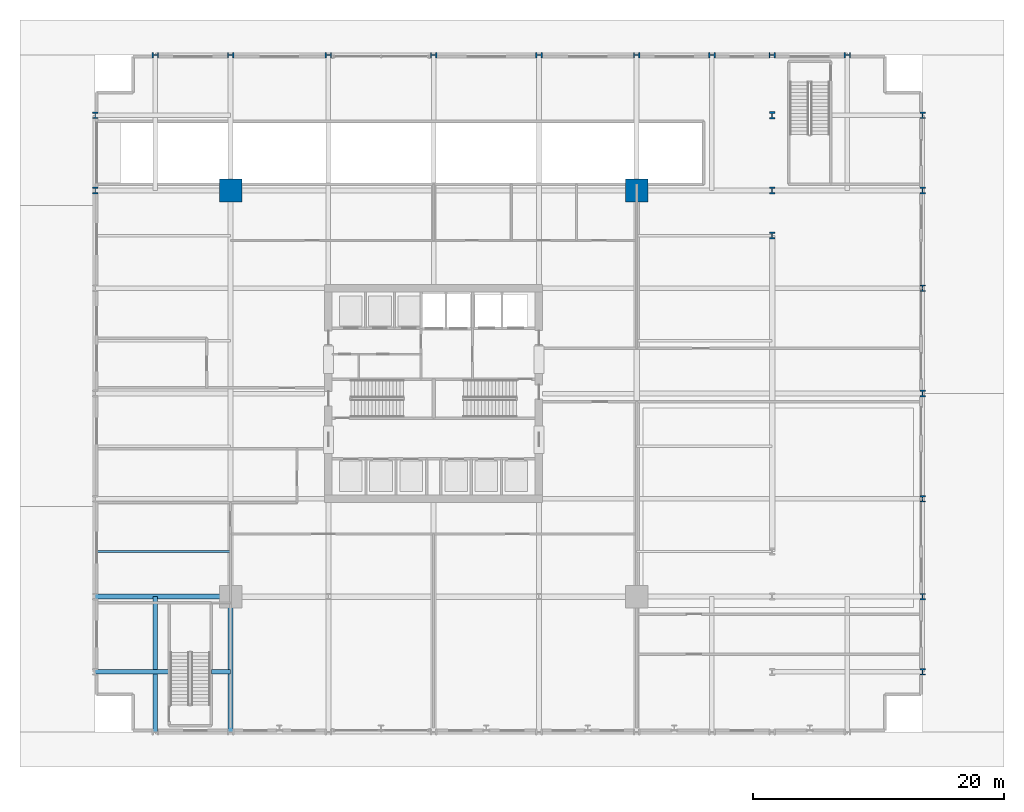
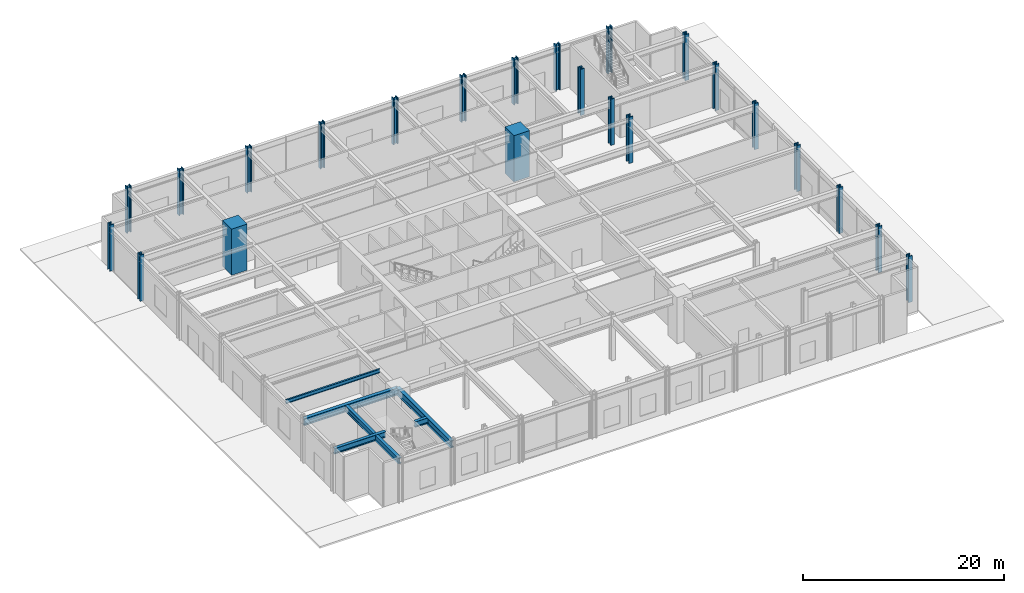
# One storey, part 2 of 21: 23 columns, 6 beams.
"""IFC4 building model written with IfcOpenShell, lengths in metres."""

from ifc_helpers import new_model, si_unit, direction, frame, origin, origin_2d, place, context, subcontext, project, spatial, rectangle, i_section, extrude, material, material_profile, profile_set, type_object, element, save


model = new_model("IFC4")

# Units and contexts
model_context = context("Model", 3, precision=1e-05, world=origin(), true_north=direction((0.0, 1.0)))
body_context = subcontext(model_context, "Body", "Model", "MODEL_VIEW")
ifc_project = project(units=[si_unit("LENGTHUNIT", "METRE"), si_unit("AREAUNIT", "SQUARE_METRE"), si_unit("VOLUMEUNIT", "CUBIC_METRE"), si_unit("PLANEANGLEUNIT", "RADIAN"), si_unit("MASSUNIT", "GRAM", prefix="KILO")], contexts=[model_context])

# Site, building, storey
site_placement = place(None, origin())
site = spatial("IfcSite", under=ifc_project, at=site_placement, CompositionType="ELEMENT")
building_placement = place(site_placement, origin())
building = spatial("IfcBuilding", under=site, at=building_placement, Name="Drelvath Grand Hotel", CompositionType="ELEMENT")
storey_placement = place(building_placement, origin())
storey = spatial("IfcBuildingStorey", under=building, at=storey_placement, Name="L00", CompositionType="ELEMENT", Elevation=0.0)

# Columns
ifc_material_1 = material(Name="Concrete f'c 70 MPa", Category="concrete")
ifc_material_profile_1 = material_profile(ifc_material_1, rectangle(XDim=1.800048828125, YDim=1.800048828125, at=origin_2d()), Name="MC1800X1800")
ifc_profile_set_1 = profile_set([ifc_material_profile_1], Name="Concrete f'c 70 MPa")
column_type_1 = type_object("IfcColumnType", Name="Composite Mega Column MC1800X1800", PredefinedType="COLUMN", material=ifc_profile_set_1)
for number, where, z_axis, x_axis, name in (
    (1, (-16.199951171875, 43.199951171875, 0.0), (0.0, 0.0, 1.0), (1.0, 0.0, 0.0), "L00 Composite Mega Column MC-NW"),
    (2, (16.199951171875, 43.199951171875, 0.0), (0.0, 0.0, 1.0), (1.0, 0.0, 0.0), "L00 Composite Mega Column MC-NE"),
):
    element("IfcColumn", number, at=place(storey_placement, frame(where, z_axis=z_axis, x_axis=x_axis)), inside=storey, type_object=column_type_1, Name=name, PredefinedType="COLUMN", context=body_context, shape_type="SweptSolid", body=[
        extrude(rectangle(XDim=1.800048828125, YDim=1.800048828125, at=origin_2d()), origin(), (0.0, 0.0, 1.0), 5.60009765625),
    ])
ifc_material_2 = material(Name="Steel ASTM A913 Gr 65", Category="steel")
ifc_material_profile_2 = material_profile(ifc_material_2, i_section(OverallWidth=0.44189453125, OverallDepth=0.531494140625, WebThickness=0.06591796875, FlangeThickness=0.105712890625, FilletRadius=0.030029296875, at=origin_2d()), Name="W14X605")
ifc_profile_set_2 = profile_set([ifc_material_profile_2], Name="Steel ASTM A913 Gr 65")
column_type_2 = type_object("IfcColumnType", Name="Perimeter Steel Column W14X605", PredefinedType="COLUMN", material=ifc_profile_set_2)
for number, where, z_axis, x_axis, name in (
    (3, (39.0, 4.800048828125, 0.0), (0.0, 0.0, 1.0), (1.0, 0.0, 0.0), "L00 Structural Column PCE-B"),
    (4, (39.0, 10.800048828125, 0.0), (0.0, 0.0, 1.0), (1.0, 0.0, 0.0), "L00 Structural Column PCE-C"),
    (5, (39.0, 18.60009765625, 0.0), (0.0, 0.0, 1.0), (1.0, 0.0, 0.0), "L00 Structural Column PCE-D"),
    (6, (39.0, 27.0, 0.0), (0.0, 0.0, 1.0), (1.0, 0.0, 0.0), "L00 Structural Column PCE-E"),
    (7, (39.0, 35.39990234375, 0.0), (0.0, 0.0, 1.0), (1.0, 0.0, 0.0), "L00 Structural Column PCE-F"),
    (8, (-27.0, 43.199951171875, 0.0), (0.0, 0.0, 1.0), (1.0, 0.0, 0.0), "L00 Structural Column PCW-G"),
    (9, (39.0, 43.199951171875, 0.0), (0.0, 0.0, 1.0), (1.0, 0.0, 0.0), "L00 Structural Column PCE-G"),
    (10, (-27.0, 49.199951171875, 0.0), (0.0, 0.0, 1.0), (1.0, 0.0, 0.0), "L00 Structural Column PCW-H"),
    (11, (39.0, 49.199951171875, 0.0), (0.0, 0.0, 1.0), (1.0, 0.0, 0.0), "L00 Structural Column PCE-H"),
    (12, (-22.199951171875, 54.0, 0.0), (0.0, 0.0, 1.0), (0.0, 1.0, 0.0), "L00 Structural Column PCN-2"),
    (13, (-16.199951171875, 54.0, 0.0), (0.0, 0.0, 1.0), (0.0, 1.0, 0.0), "L00 Structural Column PCN-3"),
    (14, (-8.39990234375, 54.0, 0.0), (0.0, 0.0, 1.0), (0.0, 1.0, 0.0), "L00 Structural Column PCN-4"),
    (15, (0.0, 54.0, 0.0), (0.0, 0.0, 1.0), (0.0, 1.0, 0.0), "L00 Structural Column PCN-5"),
    (16, (8.39990234375, 54.0, 0.0), (0.0, 0.0, 1.0), (0.0, 1.0, 0.0), "L00 Structural Column PCN-6"),
    (17, (16.199951171875, 54.0, 0.0), (0.0, 0.0, 1.0), (0.0, 1.0, 0.0), "L00 Structural Column PCN-7"),
    (18, (22.199951171875, 54.0, 0.0), (0.0, 0.0, 1.0), (0.0, 1.0, 0.0), "L00 Structural Column PCN-8"),
    (19, (27.0, 54.0, 0.0), (0.0, 0.0, 1.0), (0.0, 1.0, 0.0), "L00 Structural Column PCN-9"),
    (20, (33.0, 54.0, 0.0), (0.0, 0.0, 1.0), (0.0, 1.0, 0.0), "L00 Structural Column PCN-10"),
):
    element("IfcColumn", number, at=place(storey_placement, frame(where, z_axis=z_axis, x_axis=x_axis)), inside=storey, type_object=column_type_2, Name=name, PredefinedType="COLUMN", context=body_context, shape_type="SweptSolid", body=[
        extrude(i_section(OverallWidth=0.44189453125, OverallDepth=0.531494140625, WebThickness=0.06591796875, FlangeThickness=0.105712890625, FilletRadius=0.030029296875, at=origin_2d()), origin(), (0.0, 0.0, 1.0), 5.60009765625),
    ])
ifc_material_profile_3 = material_profile(ifc_material_2, i_section(OverallWidth=0.454345703125, OverallDepth=0.569091796875, WebThickness=0.077880859375, FlangeThickness=0.124755859375, FilletRadius=0.030029296875, at=origin_2d()), Name="W14X730")
ifc_profile_set_3 = profile_set([ifc_material_profile_3], Name="Steel ASTM A913 Gr 65")
column_type_3 = type_object("IfcColumnType", Name="Perimeter Steel Column W14X730", PredefinedType="COLUMN", material=ifc_profile_set_3)
for number, where, z_axis, x_axis, name in (
    (21, (27.0, 39.60009765625, 0.0), (0.0, 0.0, 1.0), (1.0, 0.0, 0.0), "L00 Structural Column PCP9-AT2"),
    (22, (27.0, 43.199951171875, 0.0), (0.0, 0.0, 1.0), (1.0, 0.0, 0.0), "L00 Structural Column PCP9-G"),
    (23, (27.0, 49.199951171875, 0.0), (0.0, 0.0, 1.0), (1.0, 0.0, 0.0), "L00 Structural Column PCP9-H"),
):
    element("IfcColumn", number, at=place(storey_placement, frame(where, z_axis=z_axis, x_axis=x_axis)), inside=storey, type_object=column_type_3, Name=name, PredefinedType="COLUMN", context=body_context, shape_type="SweptSolid", body=[
        extrude(i_section(OverallWidth=0.454345703125, OverallDepth=0.569091796875, WebThickness=0.077880859375, FlangeThickness=0.124755859375, FilletRadius=0.030029296875, at=origin_2d()), origin(), (0.0, 0.0, 1.0), 5.60009765625),
    ])

# Beams
ifc_material_3 = material(Name="Steel ASTM A992 Gr 50", Category="steel")
ifc_material_profile_4 = material_profile(ifc_material_3, i_section(OverallWidth=0.19140625, OverallDepth=0.4599609375, WebThickness=0.010009765625, FlangeThickness=0.01611328125, FilletRadius=0.01611328125, at=origin_2d()), Name="W18X55")
ifc_profile_set_4 = profile_set([ifc_material_profile_4], Name="Steel ASTM A992 Gr 50")
beam_type_1 = type_object("IfcBeamType", Name="Composite Floor Joist W18X55", PredefinedType="JOIST", material=ifc_profile_set_4)
beam_1_placement = place(storey_placement, frame((-27.0, 14.39990234375, 5.070068359375), z_axis=(1.0, 0.0, 0.0), x_axis=(0.0, 1.0, 0.0)))
element("IfcBeam", 24, at=beam_1_placement, inside=storey, type_object=beam_type_1, Name="L00 West Composite Joist J3", PredefinedType="JOIST", context=body_context, shape_type="SweptSolid", body=[
    extrude(i_section(OverallWidth=0.19140625, OverallDepth=0.4599609375, WebThickness=0.010009765625, FlangeThickness=0.01611328125, FilletRadius=0.01611328125, at=origin_2d()), origin(), (0.0, 0.0, 1.0), 10.800048828125),
])
ifc_material_profile_5 = material_profile(ifc_material_3, i_section(OverallWidth=0.354736328125, OverallDepth=0.695556640625, WebThickness=0.015380859375, FlangeThickness=0.025146484375, FilletRadius=0.02392578125, at=origin_2d()), Name="W27X146")
ifc_profile_set_5 = profile_set([ifc_material_profile_5], Name="Steel ASTM A992 Gr 50")
beam_type_2 = type_object("IfcBeamType", Name="Primary Floor Girder W27X146", PredefinedType="BEAM", material=ifc_profile_set_5)
beam_2_placement = place(storey_placement, frame((-27.0, 4.800048828125, 4.9521484375), z_axis=(1.0, 0.0, 0.0), x_axis=(0.0, 1.0, 0.0)))
element("IfcBeam", 25, at=beam_2_placement, inside=storey, type_object=beam_type_2, Name="L00 West Corner Tie B1", PredefinedType="BEAM", context=body_context, shape_type="SweptSolid", body=[
    extrude(i_section(OverallWidth=0.354736328125, OverallDepth=0.695556640625, WebThickness=0.015380859375, FlangeThickness=0.025146484375, FilletRadius=0.02392578125, at=origin_2d()), origin(), (0.0, 0.0, 1.0), 5.89990234375),
])
beam_3_placement = place(storey_placement, frame((-17.739990234375, 4.800048828125, 4.9521484375), z_axis=(1.0, 0.0, 0.0), x_axis=(0.0, 1.0, 0.0)))
element("IfcBeam", 26, at=beam_3_placement, inside=storey, type_object=beam_type_2, Name="L00 West Corner Tie B2", PredefinedType="BEAM", context=body_context, shape_type="SweptSolid", body=[
    extrude(i_section(OverallWidth=0.354736328125, OverallDepth=0.695556640625, WebThickness=0.015380859375, FlangeThickness=0.025146484375, FilletRadius=0.02392578125, at=origin_2d()), origin(), (0.0, 0.0, 1.0), 1.5400390625),
])
beam_4_placement = place(storey_placement, frame((-22.199951171875, 0.0, 4.9521484375), z_axis=(0.0, 1.0, 0.0), x_axis=(-1.0, 0.0, 0.0)))
element("IfcBeam", 27, at=beam_4_placement, inside=storey, type_object=beam_type_2, Name="L00 South Corner Tie 2", PredefinedType="BEAM", context=body_context, shape_type="SweptSolid", body=[
    extrude(i_section(OverallWidth=0.354736328125, OverallDepth=0.695556640625, WebThickness=0.015380859375, FlangeThickness=0.025146484375, FilletRadius=0.02392578125, at=origin_2d()), origin(), (0.0, 0.0, 1.0), 10.800048828125),
])
ifc_material_profile_6 = material_profile(ifc_material_3, i_section(OverallWidth=0.39990234375, OverallDepth=0.85546875, WebThickness=0.018310546875, FlangeThickness=0.029296875, FilletRadius=0.02490234375, at=origin_2d()), Name="W33X201")
ifc_profile_set_6 = profile_set([ifc_material_profile_6], Name="Steel ASTM A992 Gr 50")
beam_type_3 = type_object("IfcBeamType", Name="Primary Floor Girder W33X201", PredefinedType="BEAM", material=ifc_profile_set_6)
for number, where, z_axis, x_axis, name in (
    (28, (-27.0, 10.800048828125, 4.872314453125), (1.0, 0.0, 0.0), (0.0, 1.0, 0.0), "L00 West Podium Girder C"),
    (29, (-16.199951171875, 0.0, 4.872314453125), (0.0, 1.0, 0.0), (-1.0, 0.0, 0.0), "L00 South Podium Girder 3"),
):
    element("IfcBeam", number, at=place(storey_placement, frame(where, z_axis=z_axis, x_axis=x_axis)), inside=storey, type_object=beam_type_3, Name=name, PredefinedType="BEAM", context=body_context, shape_type="SweptSolid", body=[
        extrude(i_section(OverallWidth=0.39990234375, OverallDepth=0.85546875, WebThickness=0.018310546875, FlangeThickness=0.029296875, FilletRadius=0.02490234375, at=origin_2d()), origin(), (0.0, 0.0, 1.0), 10.800048828125),
    ])

save(model, "model.ifc")
